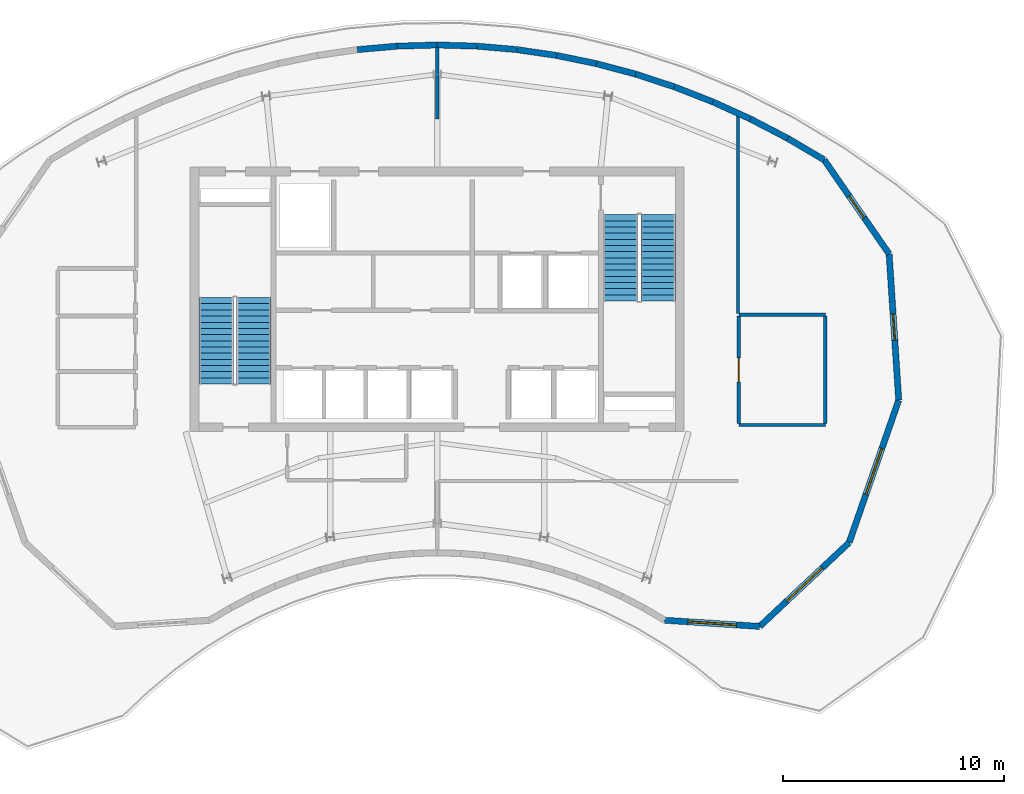
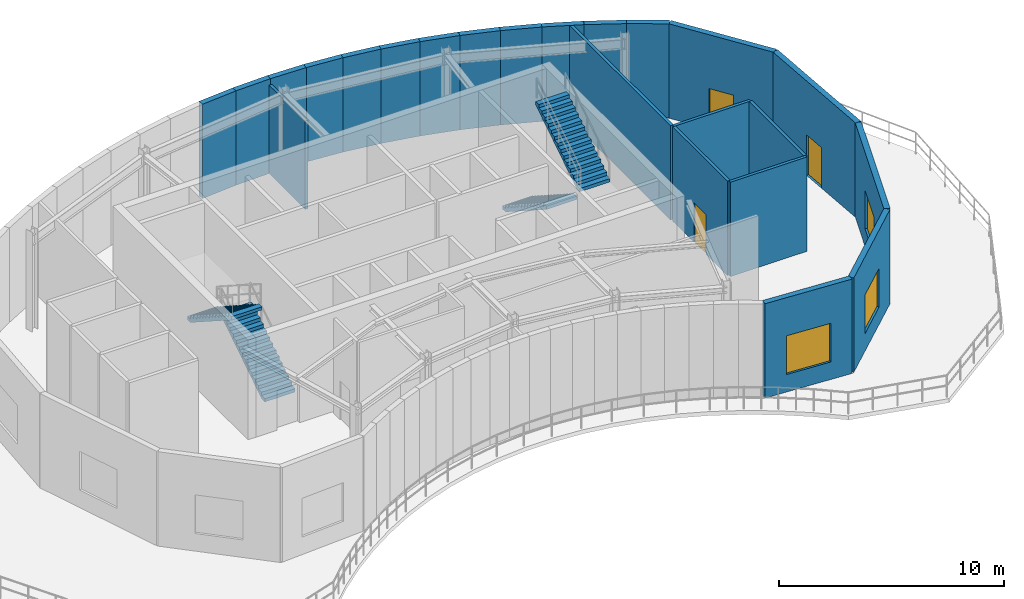
# One storey, part 5 of 8: 23 walls, 4 stair flights, 3 doors, 3 windows, 6 openings, 2 elements without a shape of their own.
"""IFC4 building model written with IfcOpenShell, lengths in metres."""

from ifc_helpers import new_model, si_unit, direction, frame, frame_2d, origin, place, context, subcontext, project, spatial, polyline, rectangle, outline, extrude, source, transform, mapped, material, layer, layer_set, type_object, type_shapes, element, fill, aggregate, save


model = new_model("IFC4")

# Units and contexts
model_context = context("Model", 3, precision=1e-05, world=origin(), true_north=direction((0.0, 1.0)))
body_context = subcontext(model_context, "Body", "Model", "MODEL_VIEW")
ifc_project = project(units=[si_unit("LENGTHUNIT", "METRE"), si_unit("AREAUNIT", "SQUARE_METRE"), si_unit("VOLUMEUNIT", "CUBIC_METRE"), si_unit("PLANEANGLEUNIT", "RADIAN"), si_unit("MASSUNIT", "GRAM", prefix="KILO")], contexts=[model_context])

# Site, building, storey
site_placement = place(None, origin())
site = spatial("IfcSite", under=ifc_project, at=site_placement, CompositionType="ELEMENT")
building_placement = place(site_placement, origin())
building = spatial("IfcBuilding", under=site, at=building_placement, Name="Breltana Convention Tower", CompositionType="ELEMENT")
storey_placement = place(building_placement, frame((0.0, 0.0, 312.60009765625)))
storey = spatial("IfcBuildingStorey", under=building, at=storey_placement, Name="L76", CompositionType="ELEMENT", Elevation=312.60009765625)

# Wall, opening, door
ifc_material_1 = material(Name="Limestone Buff Insulated Wall", Category="masonry")
ifc_layer_1 = layer(ifc_material_1, 0.280029296875, Name="Limestone Buff Insulated Wall")
ifc_layer_set_1 = layer_set([ifc_layer_1], Name="Limestone Buff Insulated Wall")
wall_type_1 = type_object("IfcWallType", Name="WL-EXT-NOSE-280", PredefinedType="SOLIDWALL", material=ifc_layer_set_1)
shared_shape_1 = source(origin(), body_context, "Body", "SweptSolid", [
    extrude(rectangle(XDim=5.181396484375, YDim=0.280029296875, at=frame_2d((2.5908203125, 0.0))), origin(), (0.0, 0.0, 1.0), 5.119873046875),
])
wall_1_placement = place(storey_placement, frame((65.54638671875, 72.52197265625, 0.0), z_axis=(0.0, 0.0, 1.0), x_axis=(0.568207430175, -0.82288536036, 0.0)))
wall_1 = element("IfcWall", 1, at=wall_1_placement, inside=storey, type_object=wall_type_1, Name="L76 Sky Lookout enclosure wall 1", PredefinedType="SOLIDWALL", context=body_context, shape_type="MappedRepresentation", body=[
    mapped(shared_shape_1, transform((0.0, 0.0, 0.0), scale=1.0)),
])
opening_1_placement = place(wall_1_placement, frame((1.99072265625, 0.0, 0.0)))
opening_1 = element("IfcOpeningElement", 2, at=opening_1_placement, cuts=wall_1, Name="Opening ED-04", PredefinedType="OPENING", context=body_context, shape_type="SweptSolid", body=[
    extrude(rectangle(XDim=1.199951171875, YDim=2.199951171875, at=frame_2d((0.60009765625, 1.10009765625))), frame((0.0, 0.14990234375, 0.0), z_axis=(0.0, -1.0, 0.0), x_axis=(1.0, 0.0, 0.0)), (0.0, 0.0, 1.0), 0.300048828125),
])
ifc_material_2 = material(Name="Aluminium Bronze Terrace Door", Category="aluminium")
door_type_1 = type_object("IfcDoorType", Name="DR-TER-1200", OperationType="NOTDEFINED", PredefinedType="DOOR", material=ifc_material_2)
shared_shape_2 = source(origin(), body_context, "Body", "SweptSolid", [
    extrude(rectangle(XDim=1.199951171875, YDim=2.199951171875, at=frame_2d((0.60009765625, 1.10009765625))), frame((0.0, 0.02490234375, 0.0), z_axis=(0.0, -1.0, 0.0), x_axis=(1.0, 0.0, 0.0)), (0.0, 0.0, 1.0), 0.050048828125),
])
type_shapes(door_type_1, [shared_shape_2])
door_1_placement = place(opening_1_placement, origin())
door_1 = element("IfcDoor", 3, at=door_1_placement, inside=storey, type_object=door_type_1, Name="Sky Lookout observation deck access door 1", OperationType="DOUBLE_DOOR_SINGLE_SWING", OverallHeight=2.199951171875, OverallWidth=1.199951171875, PredefinedType="DOOR", context=body_context, shape_type="MappedRepresentation", body=[
    mapped(shared_shape_2, transform((0.0, 0.0, 0.0), scale=1.0)),
])
fill(opening_1, door_1)

shared_shape_3 = source(origin(), body_context, "Body", "SweptSolid", [
    extrude(rectangle(XDim=6.643798828125, YDim=0.280029296875, at=frame_2d((3.32177734375, 0.0))), origin(), (0.0, 0.0, 1.0), 5.119873046875),
])
wall_2_placement = place(storey_placement, frame((68.490478515625, 68.25830078125, 0.0), z_axis=(0.0, 0.0, 1.0), x_axis=(0.065445838889, -0.997856122982, 0.0)))
wall_2 = element("IfcWall", 4, at=wall_2_placement, inside=storey, type_object=wall_type_1, Name="L76 Sky Lookout enclosure wall 2", PredefinedType="SOLIDWALL", context=body_context, shape_type="MappedRepresentation", body=[
    mapped(shared_shape_3, transform((0.0, 0.0, 0.0), scale=1.0)),
])
opening_2_placement = place(wall_2_placement, frame((2.721923828125, 0.0, 0.0)))
opening_2 = element("IfcOpeningElement", 5, at=opening_2_placement, cuts=wall_2, Name="Opening ED-04", PredefinedType="OPENING", context=body_context, shape_type="SweptSolid", body=[
    extrude(rectangle(XDim=1.199951171875, YDim=2.199951171875, at=frame_2d((0.60009765625, 1.10009765625))), frame((0.0, 0.14990234375, 0.0), z_axis=(0.0, -1.0, 0.0), x_axis=(1.0, 0.0, 0.0)), (0.0, 0.0, 1.0), 0.300048828125),
])
door_2_placement = place(opening_2_placement, origin())
door_2 = element("IfcDoor", 6, at=door_2_placement, inside=storey, type_object=door_type_1, Name="Sky Lookout observation deck access door 2", OperationType="DOUBLE_DOOR_SINGLE_SWING", OverallHeight=2.199951171875, OverallWidth=1.199951171875, PredefinedType="DOOR", context=body_context, shape_type="MappedRepresentation", body=[
    mapped(shared_shape_2, transform((0.0, 0.0, 0.0), scale=1.0)),
])
fill(opening_2, door_2)

# Wall, opening, window
shared_shape_4 = source(origin(), body_context, "Body", "SweptSolid", [
    extrude(rectangle(XDim=6.83837890625, YDim=0.280029296875, at=frame_2d((3.419189453125, 0.0))), origin(), (0.0, 0.0, 1.0), 5.119873046875),
])
wall_3_placement = place(storey_placement, frame((68.92529296875, 61.628662109375, 0.0), z_axis=(0.0, 0.0, 1.0), x_axis=(-0.328667400225, -0.944445731649, 0.0)))
wall_3 = element("IfcWall", 7, at=wall_3_placement, inside=storey, type_object=wall_type_1, Name="L76 Sky Lookout enclosure wall 3", PredefinedType="SOLIDWALL", context=body_context, shape_type="MappedRepresentation", body=[
    mapped(shared_shape_4, transform((0.0, 0.0, 0.0), scale=1.0)),
])
opening_3_placement = place(wall_3_placement, frame((2.319091796875, 0.0, 0.949951171875)))
opening_3 = element("IfcOpeningElement", 8, at=opening_3_placement, cuts=wall_3, Name="Opening W-03", PredefinedType="OPENING", context=body_context, shape_type="SweptSolid", body=[
    extrude(rectangle(XDim=2.199951171875, YDim=2.10009765625, at=frame_2d((1.10009765625, 1.050048828125))), frame((0.0, 0.14990234375, 0.0), z_axis=(0.0, -1.0, 0.0), x_axis=(1.0, 0.0, 0.0)), (0.0, 0.0, 1.0), 0.300048828125),
])
ifc_material_3 = material(Name="Glass Low-E Insulated Window", Category="glass")
window_type = type_object("IfcWindowType", Name="WN-NOSE-2200X2100", PartitioningType="TRIPLE_PANEL_VERTICAL", PredefinedType="WINDOW", material=ifc_material_3)
shared_shape_5 = source(origin(), body_context, "Body", "SweptSolid", [
    extrude(rectangle(XDim=2.199951171875, YDim=2.10009765625, at=frame_2d((1.10009765625, 1.050048828125))), frame((0.0, 0.030029296875, 0.0), z_axis=(0.0, -1.0, 0.0), x_axis=(1.0, 0.0, 0.0)), (0.0, 0.0, 1.0), 0.06005859375),
])
type_shapes(window_type, [shared_shape_5])
window_1_placement = place(opening_3_placement, origin())
window_1 = element("IfcWindow", 9, at=window_1_placement, inside=storey, type_object=window_type, Name="L76 lookout viewing window 3", OverallHeight=2.10009765625, OverallWidth=2.199951171875, PartitioningType="TRIPLE_PANEL_VERTICAL", PredefinedType="WINDOW", context=body_context, shape_type="MappedRepresentation", body=[
    mapped(shared_shape_5, transform((0.0, 0.0, 0.0), scale=1.0)),
])
fill(opening_3, window_1)

shared_shape_6 = source(origin(), body_context, "Body", "SweptSolid", [
    extrude(rectangle(XDim=5.555908203125, YDim=0.280029296875, at=frame_2d((2.77783203125, 0.0))), origin(), (0.0, 0.0, 1.0), 5.119873046875),
])
wall_4_placement = place(storey_placement, frame((66.677734375, 55.170166015625, 0.0), z_axis=(0.0, 0.0, 1.0), x_axis=(-0.729523500697, -0.683955745594, 0.0)))
wall_4 = element("IfcWall", 10, at=wall_4_placement, inside=storey, type_object=wall_type_1, Name="L76 Sky Lookout enclosure wall 4", PredefinedType="SOLIDWALL", context=body_context, shape_type="MappedRepresentation", body=[
    mapped(shared_shape_6, transform((0.0, 0.0, 0.0), scale=1.0)),
])
opening_4_placement = place(wall_4_placement, frame((1.677978515625, 0.0, 0.949951171875)))
opening_4 = element("IfcOpeningElement", 11, at=opening_4_placement, cuts=wall_4, Name="Opening W-03", PredefinedType="OPENING", context=body_context, shape_type="SweptSolid", body=[
    extrude(rectangle(XDim=2.199951171875, YDim=2.10009765625, at=frame_2d((1.10009765625, 1.050048828125))), frame((0.0, 0.14990234375, 0.0), z_axis=(0.0, -1.0, 0.0), x_axis=(1.0, 0.0, 0.0)), (0.0, 0.0, 1.0), 0.300048828125),
])
window_2_placement = place(opening_4_placement, origin())
window_2 = element("IfcWindow", 12, at=window_2_placement, inside=storey, type_object=window_type, Name="L76 lookout viewing window 4", OverallHeight=2.10009765625, OverallWidth=2.199951171875, PartitioningType="TRIPLE_PANEL_VERTICAL", PredefinedType="WINDOW", context=body_context, shape_type="MappedRepresentation", body=[
    mapped(shared_shape_5, transform((0.0, 0.0, 0.0), scale=1.0)),
])
fill(opening_4, window_2)

shared_shape_7 = source(origin(), body_context, "Body", "SweptSolid", [
    extrude(rectangle(XDim=4.318603515625, YDim=0.280029296875, at=frame_2d((2.1591796875, 0.0))), origin(), (0.0, 0.0, 1.0), 5.119873046875),
])
wall_5_placement = place(storey_placement, frame((62.62451171875, 51.3701171875, 0.0), z_axis=(0.0, 0.0, 1.0), x_axis=(-0.997891901263, 0.064898023037, 0.0)))
wall_5 = element("IfcWall", 13, at=wall_5_placement, inside=storey, type_object=wall_type_1, Name="L76 Sky Lookout enclosure wall 5", PredefinedType="SOLIDWALL", context=body_context, shape_type="MappedRepresentation", body=[
    mapped(shared_shape_7, transform((0.0, 0.0, 0.0), scale=1.0)),
])
opening_5_placement = place(wall_5_placement, frame((1.059326171875, 0.0, 0.949951171875)))
opening_5 = element("IfcOpeningElement", 14, at=opening_5_placement, cuts=wall_5, Name="Opening W-03", PredefinedType="OPENING", context=body_context, shape_type="SweptSolid", body=[
    extrude(rectangle(XDim=2.199951171875, YDim=2.10009765625, at=frame_2d((1.10009765625, 1.050048828125))), frame((0.0, 0.14990234375, 0.0), z_axis=(0.0, -1.0, 0.0), x_axis=(1.0, 0.0, 0.0)), (0.0, 0.0, 1.0), 0.300048828125),
])
window_3_placement = place(opening_5_placement, origin())
window_3 = element("IfcWindow", 15, at=window_3_placement, inside=storey, type_object=window_type, Name="L76 lookout viewing window 5", OverallHeight=2.10009765625, OverallWidth=2.199951171875, PartitioningType="TRIPLE_PANEL_VERTICAL", PredefinedType="WINDOW", context=body_context, shape_type="MappedRepresentation", body=[
    mapped(shared_shape_5, transform((0.0, 0.0, 0.0), scale=1.0)),
])
fill(opening_5, window_3)

# Walls
shared_shape_8 = source(origin(), body_context, "Body", "SweptSolid", [
    extrude(rectangle(XDim=1.911376953125, YDim=0.280029296875, at=frame_2d((0.95556640625, 0.0))), origin(), (0.0, 0.0, 1.0), 5.119873046875),
])
wall_6_placement = place(storey_placement, frame((63.89990234375, 73.49267578125, 0.0), z_axis=(0.0, 0.0, 1.0), x_axis=(0.861434684646, -0.507868372798, 0.0)))
element("IfcWall", 16, at=wall_6_placement, inside=storey, type_object=wall_type_1, Name="L76 Sky Lookout enclosure wall 69", PredefinedType="SOLIDWALL", context=body_context, shape_type="MappedRepresentation", body=[
    mapped(shared_shape_8, transform((0.0, 0.0, 0.0), scale=1.0)),
])
shared_shape_9 = source(origin(), body_context, "Body", "SweptSolid", [
    extrude(rectangle(XDim=1.905517578125, YDim=0.280029296875, at=frame_2d((0.95263671875, 0.0))), origin(), (0.0, 0.0, 1.0), 5.119873046875),
])
wall_7_placement = place(storey_placement, frame((62.2099609375, 74.373291015625, 0.0), z_axis=(0.0, 0.0, 1.0), x_axis=(0.886820023543, -0.462114970373, 0.0)))
element("IfcWall", 17, at=wall_7_placement, inside=storey, type_object=wall_type_1, Name="L76 Sky Lookout enclosure wall 68", PredefinedType="SOLIDWALL", context=body_context, shape_type="MappedRepresentation", body=[
    mapped(shared_shape_9, transform((0.0, 0.0, 0.0), scale=1.0)),
])
shared_shape_10 = source(origin(), body_context, "Body", "SweptSolid", [
    extrude(rectangle(XDim=1.885986328125, YDim=0.280029296875, at=frame_2d((0.94287109375, 0.0))), origin(), (0.0, 0.0, 1.0), 5.119873046875),
])
wall_8_placement = place(storey_placement, frame((60.493408203125, 75.154296875, 0.0), z_axis=(0.0, 0.0, 1.0), x_axis=(0.910215678877, -0.414134540852, 0.0)))
element("IfcWall", 18, at=wall_8_placement, inside=storey, type_object=wall_type_1, Name="L76 Sky Lookout enclosure wall 67", PredefinedType="SOLIDWALL", context=body_context, shape_type="MappedRepresentation", body=[
    mapped(shared_shape_10, transform((0.0, 0.0, 0.0), scale=1.0)),
])
shared_shape_11 = source(origin(), body_context, "Body", "SweptSolid", [
    extrude(rectangle(XDim=1.86865234375, YDim=0.280029296875, at=frame_2d((0.934326171875, 0.0))), origin(), (0.0, 0.0, 1.0), 5.119873046875),
])
wall_9_placement = place(storey_placement, frame((58.752685546875, 75.833984375, 0.0), z_axis=(0.0, 0.0, 1.0), x_axis=(0.931508536142, -0.363719462078, 0.0)))
element("IfcWall", 19, at=wall_9_placement, inside=storey, type_object=wall_type_1, Name="L76 Sky Lookout enclosure wall 66", PredefinedType="SOLIDWALL", context=body_context, shape_type="MappedRepresentation", body=[
    mapped(shared_shape_11, transform((0.0, 0.0, 0.0), scale=1.0)),
])
shared_shape_12 = source(origin(), body_context, "Body", "SweptSolid", [
    extrude(rectangle(XDim=1.85302734375, YDim=0.280029296875, at=frame_2d((0.926513671875, 0.0))), origin(), (0.0, 0.0, 1.0), 5.119873046875),
])
wall_10_placement = place(storey_placement, frame((56.991943359375, 76.411376953125, 0.0), z_axis=(0.0, 0.0, 1.0), x_axis=(0.950213553977, -0.311599425285, 0.0)))
element("IfcWall", 20, at=wall_10_placement, inside=storey, type_object=wall_type_1, Name="L76 Sky Lookout enclosure wall 65", PredefinedType="SOLIDWALL", context=body_context, shape_type="MappedRepresentation", body=[
    mapped(shared_shape_12, transform((0.0, 0.0, 0.0), scale=1.0)),
])
shared_shape_13 = source(origin(), body_context, "Body", "SweptSolid", [
    extrude(rectangle(XDim=1.83984375, YDim=0.280029296875, at=frame_2d((0.919921875, 0.0))), origin(), (0.0, 0.0, 1.0), 5.119873046875),
])
wall_11_placement = place(storey_placement, frame((55.214111328125, 76.88525390625, 0.0), z_axis=(0.0, 0.0, 1.0), x_axis=(0.966263564288, -0.257555284027, 0.0)))
element("IfcWall", 21, at=wall_11_placement, inside=storey, type_object=wall_type_1, Name="L76 Sky Lookout enclosure wall 64", PredefinedType="SOLIDWALL", context=body_context, shape_type="MappedRepresentation", body=[
    mapped(shared_shape_13, transform((0.0, 0.0, 0.0), scale=1.0)),
])
shared_shape_14 = source(origin(), body_context, "Body", "SweptSolid", [
    extrude(rectangle(XDim=1.8291015625, YDim=0.280029296875, at=frame_2d((0.91455078125, 0.0))), origin(), (0.0, 0.0, 1.0), 5.119873046875),
])
wall_12_placement = place(storey_placement, frame((53.422607421875, 77.254638671875, 0.0), z_axis=(0.0, 0.0, 1.0), x_axis=(0.979398075553, -0.201939123509, 0.0)))
element("IfcWall", 22, at=wall_12_placement, inside=storey, type_object=wall_type_1, Name="L76 Sky Lookout enclosure wall 63", PredefinedType="SOLIDWALL", context=body_context, shape_type="MappedRepresentation", body=[
    mapped(shared_shape_14, transform((0.0, 0.0, 0.0), scale=1.0)),
])
shared_shape_15 = source(origin(), body_context, "Body", "SweptSolid", [
    extrude(rectangle(XDim=1.8212890625, YDim=0.280029296875, at=frame_2d((0.91064453125, 0.0))), origin(), (0.0, 0.0, 1.0), 5.119873046875),
])
wall_13_placement = place(storey_placement, frame((51.62060546875, 77.51904296875, 0.0), z_axis=(0.0, 0.0, 1.0), x_axis=(0.989406187496, -0.145173675797, 0.0)))
element("IfcWall", 23, at=wall_13_placement, inside=storey, type_object=wall_type_1, Name="L76 Sky Lookout enclosure wall 62", PredefinedType="SOLIDWALL", context=body_context, shape_type="MappedRepresentation", body=[
    mapped(shared_shape_15, transform((0.0, 0.0, 0.0), scale=1.0)),
])
shared_shape_16 = source(origin(), body_context, "Body", "SweptSolid", [
    extrude(rectangle(XDim=1.815673828125, YDim=0.280029296875, at=frame_2d((0.90771484375, 0.0))), origin(), (0.0, 0.0, 1.0), 5.119873046875),
])
for number, where, z_axis, x_axis, name in (
    (24, (44.37939453125, 77.51904296875, 0.0), (0.0, 0.0, 1.0), (0.996160952353, 0.087540602049, 0.0), "L76 Sky Lookout enclosure wall 58"),
    (25, (49.81201171875, 77.677978515625, 0.0), (0.0, 0.0, 1.0), (0.996160952353, -0.087540602049, 0.0), "L76 Sky Lookout enclosure wall 61"),
):
    element("IfcWall", number, at=place(storey_placement, frame(where, z_axis=z_axis, x_axis=x_axis)), inside=storey, type_object=wall_type_1, Name=name, PredefinedType="SOLIDWALL", context=body_context, shape_type="MappedRepresentation", body=[
        mapped(shared_shape_16, transform((0.0, 0.0, 0.0), scale=1.0)),
    ])
shared_shape_17 = source(origin(), body_context, "Body", "SweptSolid", [
    extrude(rectangle(XDim=1.812744140625, YDim=0.280029296875, at=frame_2d((0.90625, 0.0))), origin(), (0.0, 0.0, 1.0), 5.119873046875),
])
for number, where, z_axis, x_axis, name in (
    (26, (46.18798828125, 77.677978515625, 0.0), (0.0, 0.0, 1.0), (0.99957286098, 0.029224913882, 0.0), "L76 Sky Lookout enclosure wall 59"),
    (27, (48.0, 77.73095703125, 0.0), (0.0, 0.0, 1.0), (0.99957286098, -0.029224913882, 0.0), "L76 Sky Lookout enclosure wall 60"),
):
    element("IfcWall", number, at=place(storey_placement, frame(where, z_axis=z_axis, x_axis=x_axis)), inside=storey, type_object=wall_type_1, Name=name, PredefinedType="SOLIDWALL", context=body_context, shape_type="MappedRepresentation", body=[
        mapped(shared_shape_17, transform((0.0, 0.0, 0.0), scale=1.0)),
    ])
ifc_material_4 = material(Name="Gypsum Acoustic Drywall Partition")
ifc_layer_2 = layer(ifc_material_4, 0.14990234375, Name="Gypsum Acoustic Drywall Partition")
ifc_layer_set_2 = layer_set([ifc_layer_2], Name="Gypsum Acoustic Drywall Partition")
wall_type_2 = type_object("IfcWallType", Name="WL-PART-150", PredefinedType="PARTITIONING", material=ifc_layer_set_2)
shared_shape_18 = source(origin(), body_context, "Body", "SweptSolid", [
    extrude(rectangle(XDim=3.920166015625, YDim=0.14990234375, at=frame_2d((1.9599609375, 0.0))), origin(), (0.0, 0.0, 1.0), 5.119873046875),
])
for number, where, z_axis, x_axis, name in (
    (28, (61.679931640625, 60.5, 0.0), (0.0, 0.0, 1.0), (1.0, 0.0, 0.0), "L76 interior partition W-L76-LCAF-S"),
    (29, (61.679931640625, 65.5, 0.0), (0.0, 0.0, 1.0), (1.0, 0.0, 0.0), "L76 interior partition W-L76-LCAF-N"),
):
    element("IfcWall", number, at=place(storey_placement, frame(where, z_axis=z_axis, x_axis=x_axis)), inside=storey, type_object=wall_type_2, Name=name, PredefinedType="PARTITIONING", context=body_context, shape_type="MappedRepresentation", body=[
        mapped(shared_shape_18, transform((0.0, 0.0, 0.0), scale=1.0)),
    ])

# Wall, opening, door
shared_shape_19 = source(origin(), body_context, "Body", "SweptSolid", [
    extrude(rectangle(XDim=4.865234375, YDim=0.14990234375, at=frame_2d((2.4326171875, 0.0))), origin(), (0.0, 0.0, 1.0), 5.119873046875),
])
wall_14_placement = place(storey_placement, frame((61.679931640625, 60.5673828125, 0.0), z_axis=(0.0, 0.0, 1.0), x_axis=(0.0, 1.0, 0.0)))
wall_14 = element("IfcWall", 30, at=wall_14_placement, inside=storey, type_object=wall_type_2, Name="L76 interior partition W-L76-LCAF-W", PredefinedType="PARTITIONING", context=body_context, shape_type="MappedRepresentation", body=[
    mapped(shared_shape_19, transform((0.0, 0.0, 0.0), scale=1.0)),
])
opening_6_placement = place(wall_14_placement, frame((1.882568359375, 0.0, 0.0)))
opening_6 = element("IfcOpeningElement", 31, at=opening_6_placement, cuts=wall_14, Name="Opening D-12", PredefinedType="OPENING", context=body_context, shape_type="SweptSolid", body=[
    extrude(rectangle(XDim=1.10009765625, YDim=2.14990234375, at=frame_2d((0.550048828125, 1.074951171875))), frame((0.0, 0.0849609375, 0.0), z_axis=(0.0, -1.0, 0.0), x_axis=(1.0, 0.0, 0.0)), (0.0, 0.0, 1.0), 0.169921875),
])
ifc_material_5 = material(Name="Timber Oak Acoustic Door", Category="wood")
door_type_2 = type_object("IfcDoorType", Name="DR-INT-1100", OperationType="NOTDEFINED", PredefinedType="DOOR", material=ifc_material_5)
shared_shape_20 = source(origin(), body_context, "Body", "SweptSolid", [
    extrude(rectangle(XDim=1.10009765625, YDim=2.14990234375, at=frame_2d((0.550048828125, 1.074951171875))), frame((0.0, 0.02490234375, 0.0), z_axis=(0.0, -1.0, 0.0), x_axis=(1.0, 0.0, 0.0)), (0.0, 0.0, 1.0), 0.050048828125),
])
type_shapes(door_type_2, [shared_shape_20])
door_3_placement = place(opening_6_placement, origin())
door_3 = element("IfcDoor", 32, at=door_3_placement, inside=storey, type_object=door_type_2, Name="L76 interior door D-L76-LCAF", OperationType="SINGLE_SWING_LEFT", OverallHeight=2.14990234375, OverallWidth=1.10009765625, PredefinedType="DOOR", context=body_context, shape_type="MappedRepresentation", body=[
    mapped(shared_shape_20, transform((0.0, 0.0, 0.0), scale=1.0)),
])
fill(opening_6, door_3)

# Walls
wall_15_placement = place(storey_placement, frame((65.60009765625, 60.5673828125, 0.0), z_axis=(0.0, 0.0, 1.0), x_axis=(0.0, 1.0, 0.0)))
element("IfcWall", 33, at=wall_15_placement, inside=storey, type_object=wall_type_2, Name="L76 interior partition W-L76-LCAF-E", PredefinedType="PARTITIONING", context=body_context, shape_type="MappedRepresentation", body=[
    mapped(shared_shape_19, transform((0.0, 0.0, 0.0), scale=1.0)),
])
shared_shape_21 = source(origin(), body_context, "Body", "SweptSolid", [
    extrude(rectangle(XDim=3.240966796875, YDim=0.14990234375, at=frame_2d((1.62060546875, 0.0))), origin(), (0.0, 0.0, 1.0), 4.7939453125),
])
wall_16_placement = place(storey_placement, frame((48.0, 74.3798828125, 0.0), z_axis=(0.0, 0.0, 1.0), x_axis=(0.0, 1.0, 0.0)))
element("IfcWall", 34, at=wall_16_placement, inside=storey, type_object=wall_type_2, Name="L76 interior partition W-L76-L76-MN", PredefinedType="PARTITIONING", context=body_context, shape_type="MappedRepresentation", body=[
    mapped(shared_shape_21, transform((0.0, 0.0, 0.0), scale=1.0)),
])
shared_shape_22 = source(origin(), body_context, "Body", "SweptSolid", [
    extrude(rectangle(XDim=8.961669921875, YDim=0.14990234375, at=frame_2d((4.48095703125, 0.0))), origin(), (0.0, 0.0, 1.0), 5.119873046875),
])
wall_17_placement = place(storey_placement, frame((61.639892578125, 65.550048828125, 0.0), z_axis=(0.0, 0.0, 1.0), x_axis=(0.0, 1.0, 0.0)))
element("IfcWall", 35, at=wall_17_placement, inside=storey, type_object=wall_type_2, Name="L76 interior partition W-L76-L76-EN", PredefinedType="PARTITIONING", context=body_context, shape_type="MappedRepresentation", body=[
    mapped(shared_shape_22, transform((0.0, 0.0, 0.0), scale=1.0)),
])

# Stair, stair flights
ifc_material_6 = material(Name="Concrete C40/50", Category="concrete")
stair_type = type_object("IfcStairType", Name="ST-DOG-1560-R180", PredefinedType="HALF_TURN_STAIR", material=ifc_material_6)
stair_1_placement = place(storey_placement, origin())
stair_1 = element("IfcStair", 36, at=stair_1_placement, inside=storey, type_object=stair_type, Name="L76 Protected Core Exit Stair ST-1", PredefinedType="HALF_TURN_STAIR")
stair_flight_type = type_object("IfcStairFlightType", Name="STF-DOG-1560-N15-R180", PredefinedType="STRAIGHT", material=ifc_material_6)
stair_flight_1_placement = place(storey_placement, frame((39.68994140625, 62.360107421875, 0.0), z_axis=(0.0, 0.0, 1.0), x_axis=(0.0, 1.0, 0.0)))
stair_flight_1 = element("IfcStairFlight", 37, at=stair_flight_1_placement, type_object=stair_flight_type, Name="ST-1 flight 1", NumberOfRisers=15, NumberOfTreads=14, PredefinedType="STRAIGHT", RiserHeight=0.18, TreadLength=0.28, context=body_context, shape_type="SweptSolid", body=[
    extrude(outline(polyline([(0.0, 0.0), (0.0, 0.179931640625), (0.280029296875, 0.179931640625), (0.280029296875, 0.360107421875), (0.56005859375, 0.360107421875), (0.56005859375, 0.5400390625), (0.840087890625, 0.5400390625), (0.840087890625, 0.719970703125), (1.1201171875, 0.719970703125), (1.1201171875, 0.89990234375), (1.39990234375, 0.89990234375), (1.39990234375, 1.080078125), (1.679931640625, 1.080078125), (1.679931640625, 1.260009765625), (1.9599609375, 1.260009765625), (1.9599609375, 1.43994140625), (2.239990234375, 1.43994140625), (2.239990234375, 1.6201171875), (2.52001953125, 1.6201171875), (2.52001953125, 1.800048828125), (2.800048828125, 1.800048828125), (2.800048828125, 1.97998046875), (3.080078125, 1.97998046875), (3.080078125, 2.159912109375), (3.360107421875, 2.159912109375), (3.360107421875, 2.340087890625), (3.639892578125, 2.340087890625), (3.639892578125, 2.52001953125), (3.919921875, 2.52001953125), (3.919921875, 2.699951171875), (3.919921875, 2.341796875), (0.277099609375, 0.0), (0.0, 0.0)])), frame((0.0, 0.780029296875, 0.0), z_axis=(0.0, -1.0, 0.0), x_axis=(1.0, 0.0, 0.0)), (0.0, 0.0, 1.0), 1.56005859375),
])
stair_flight_2_placement = place(storey_placement, frame((37.97998046875, 66.280029296875, 2.699951171875), z_axis=(0.0, 0.0, 1.0), x_axis=(0.0, -1.0, 0.0)))
stair_flight_2 = element("IfcStairFlight", 38, at=stair_flight_2_placement, type_object=stair_flight_type, Name="ST-1 flight 2", NumberOfRisers=15, NumberOfTreads=14, PredefinedType="STRAIGHT", RiserHeight=0.18, TreadLength=0.28, context=body_context, shape_type="SweptSolid", body=[
    extrude(outline(polyline([(0.0, 0.0), (0.0, 0.179931640625), (0.280029296875, 0.179931640625), (0.280029296875, 0.360107421875), (0.56005859375, 0.360107421875), (0.56005859375, 0.5400390625), (0.840087890625, 0.5400390625), (0.840087890625, 0.719970703125), (1.1201171875, 0.719970703125), (1.1201171875, 0.89990234375), (1.39990234375, 0.89990234375), (1.39990234375, 1.080078125), (1.679931640625, 1.080078125), (1.679931640625, 1.260009765625), (1.9599609375, 1.260009765625), (1.9599609375, 1.43994140625), (2.239990234375, 1.43994140625), (2.239990234375, 1.6201171875), (2.52001953125, 1.6201171875), (2.52001953125, 1.800048828125), (2.800048828125, 1.800048828125), (2.800048828125, 1.97998046875), (3.080078125, 1.97998046875), (3.080078125, 2.159912109375), (3.360107421875, 2.159912109375), (3.360107421875, 2.340087890625), (3.639892578125, 2.340087890625), (3.639892578125, 2.52001953125), (3.919921875, 2.52001953125), (3.919921875, 2.699951171875), (3.919921875, 2.341796875), (0.277099609375, 0.0), (0.0, 0.0)])), frame((0.0, 0.780029296875, 0.0), z_axis=(0.0, -1.0, 0.0), x_axis=(1.0, 0.0, 0.0)), (0.0, 0.0, 1.0), 1.56005859375),
])
aggregate(stair_1, [stair_flight_1, stair_flight_2])

stair_2_placement = place(storey_placement, origin())
stair_2 = element("IfcStair", 39, at=stair_2_placement, inside=storey, type_object=stair_type, Name="L76 Protected Core Exit Stair ST-2", PredefinedType="HALF_TURN_STAIR")
stair_flight_3_placement = place(storey_placement, frame((56.31005859375, 70.0400390625, 0.0), z_axis=(0.0, 0.0, 1.0), x_axis=(0.0, -1.0, 0.0)))
stair_flight_3 = element("IfcStairFlight", 40, at=stair_flight_3_placement, type_object=stair_flight_type, Name="ST-2 flight 1", NumberOfRisers=15, NumberOfTreads=14, PredefinedType="STRAIGHT", RiserHeight=0.18, TreadLength=0.28, context=body_context, shape_type="SweptSolid", body=[
    extrude(outline(polyline([(0.0, 0.0), (0.0, 0.179931640625), (0.280029296875, 0.179931640625), (0.280029296875, 0.360107421875), (0.56005859375, 0.360107421875), (0.56005859375, 0.5400390625), (0.840087890625, 0.5400390625), (0.840087890625, 0.719970703125), (1.1201171875, 0.719970703125), (1.1201171875, 0.89990234375), (1.39990234375, 0.89990234375), (1.39990234375, 1.080078125), (1.679931640625, 1.080078125), (1.679931640625, 1.260009765625), (1.9599609375, 1.260009765625), (1.9599609375, 1.43994140625), (2.239990234375, 1.43994140625), (2.239990234375, 1.6201171875), (2.52001953125, 1.6201171875), (2.52001953125, 1.800048828125), (2.800048828125, 1.800048828125), (2.800048828125, 1.97998046875), (3.080078125, 1.97998046875), (3.080078125, 2.159912109375), (3.360107421875, 2.159912109375), (3.360107421875, 2.340087890625), (3.639892578125, 2.340087890625), (3.639892578125, 2.52001953125), (3.919921875, 2.52001953125), (3.919921875, 2.699951171875), (3.919921875, 2.341796875), (0.277099609375, 0.0), (0.0, 0.0)])), frame((0.0, 0.780029296875, 0.0), z_axis=(0.0, -1.0, 0.0), x_axis=(1.0, 0.0, 0.0)), (0.0, 0.0, 1.0), 1.56005859375),
])
stair_flight_4_placement = place(storey_placement, frame((58.02001953125, 66.1201171875, 2.699951171875), z_axis=(0.0, 0.0, 1.0), x_axis=(0.0, 1.0, 0.0)))
stair_flight_4 = element("IfcStairFlight", 41, at=stair_flight_4_placement, type_object=stair_flight_type, Name="ST-2 flight 2", NumberOfRisers=15, NumberOfTreads=14, PredefinedType="STRAIGHT", RiserHeight=0.18, TreadLength=0.28, context=body_context, shape_type="SweptSolid", body=[
    extrude(outline(polyline([(0.0, 0.0), (0.0, 0.179931640625), (0.280029296875, 0.179931640625), (0.280029296875, 0.360107421875), (0.56005859375, 0.360107421875), (0.56005859375, 0.5400390625), (0.840087890625, 0.5400390625), (0.840087890625, 0.719970703125), (1.1201171875, 0.719970703125), (1.1201171875, 0.89990234375), (1.39990234375, 0.89990234375), (1.39990234375, 1.080078125), (1.679931640625, 1.080078125), (1.679931640625, 1.260009765625), (1.9599609375, 1.260009765625), (1.9599609375, 1.43994140625), (2.239990234375, 1.43994140625), (2.239990234375, 1.6201171875), (2.52001953125, 1.6201171875), (2.52001953125, 1.800048828125), (2.800048828125, 1.800048828125), (2.800048828125, 1.97998046875), (3.080078125, 1.97998046875), (3.080078125, 2.159912109375), (3.360107421875, 2.159912109375), (3.360107421875, 2.340087890625), (3.639892578125, 2.340087890625), (3.639892578125, 2.52001953125), (3.919921875, 2.52001953125), (3.919921875, 2.699951171875), (3.919921875, 2.341796875), (0.277099609375, 0.0), (0.0, 0.0)])), frame((0.0, 0.780029296875, 0.0), z_axis=(0.0, -1.0, 0.0), x_axis=(1.0, 0.0, 0.0)), (0.0, 0.0, 1.0), 1.56005859375),
])
aggregate(stair_2, [stair_flight_3, stair_flight_4])

save(model, "model.ifc")
